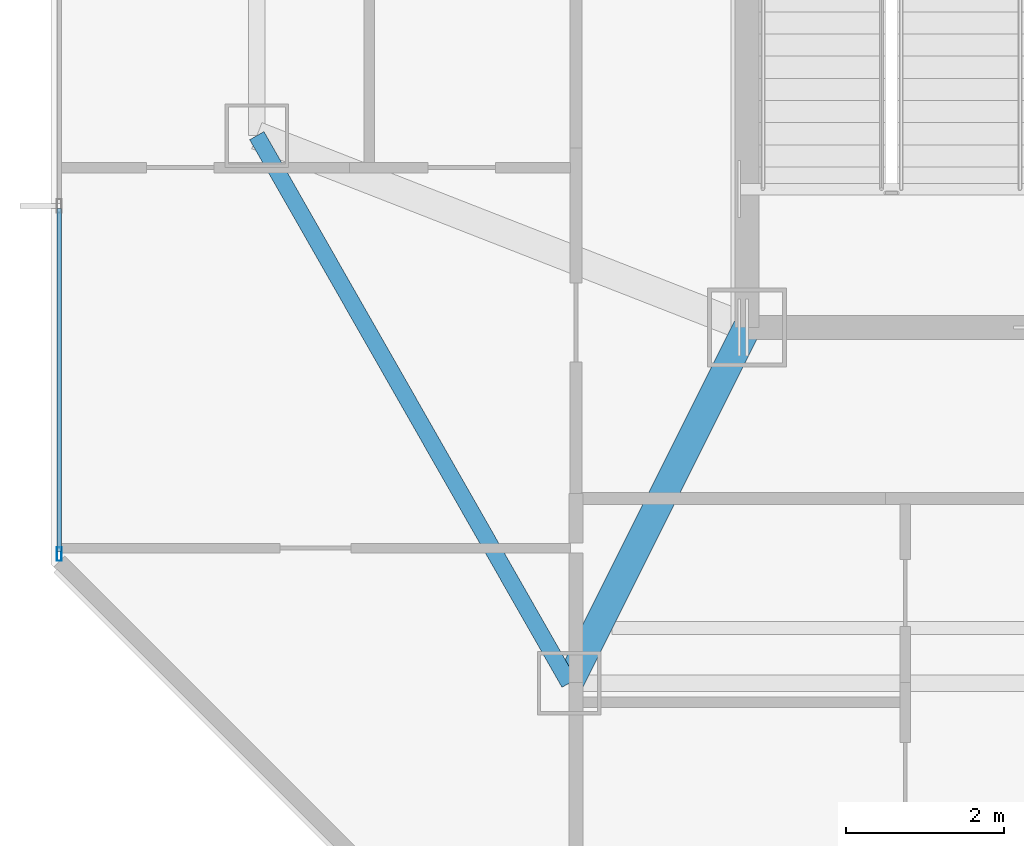
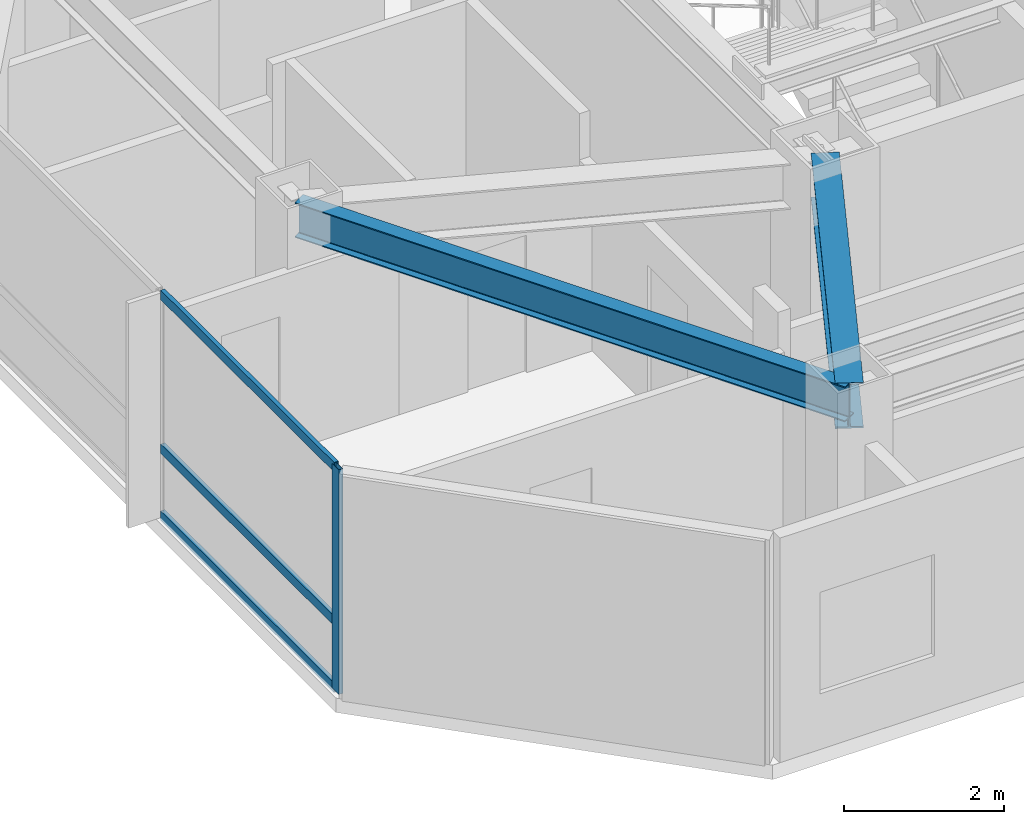
# One storey, part 2 of 14: 4 members, 2 beams, 1 element without a shape of its own.
"""IFC4 building model written with IfcOpenShell, lengths in metres."""

from ifc_helpers import new_model, si_unit, direction, frame, origin, origin_2d, place, context, subcontext, project, spatial, hollow_rectangle, i_section, extrude, material, material_profile, profile_set, type_object, element, aggregate, save


model = new_model("IFC4")

# Units and contexts
model_context = context("Model", 3, precision=1e-05, world=origin(), true_north=direction((0.0, 1.0)))
body_context = subcontext(model_context, "Body", "Model", "MODEL_VIEW")
ifc_project = project(units=[si_unit("LENGTHUNIT", "METRE"), si_unit("AREAUNIT", "SQUARE_METRE"), si_unit("VOLUMEUNIT", "CUBIC_METRE"), si_unit("PLANEANGLEUNIT", "RADIAN"), si_unit("MASSUNIT", "GRAM", prefix="KILO")], contexts=[model_context])

# Site, building, storey
site_placement = place(None, origin())
site = spatial("IfcSite", under=ifc_project, at=site_placement, CompositionType="ELEMENT")
building_placement = place(site_placement, origin())
building = spatial("IfcBuilding", under=site, at=building_placement, Name="Khamvora Tower", CompositionType="ELEMENT")
storey_placement = place(building_placement, frame((0.0, 0.0, 242.75)))
storey = spatial("IfcBuildingStorey", under=building, at=storey_placement, Name="L62", CompositionType="ELEMENT", Elevation=242.75)

# Beams
ifc_material_1 = material(Name="Steel S355", Category="steel")
ifc_material_profile_1 = material_profile(ifc_material_1, i_section(OverallWidth=0.35498046875, OverallDepth=0.695068359375, WebThickness=0.014892578125, FlangeThickness=0.02490234375, FilletRadius=0.01611328125, at=origin_2d()), Name="W690x217")
ifc_profile_set_1 = profile_set([ifc_material_profile_1], Name="Steel S355")
beam_type_1 = type_object("IfcBeamType", Name="BM-PG-W690x217", PredefinedType="BEAM", material=ifc_profile_set_1)
beam_1_placement = place(storey_placement, frame((29.0, 19.0, 3.0830078125), z_axis=(-0.4472135955, -0.894427191, 0.0), x_axis=(0.894427191, -0.4472135955, 0.0)))
element("IfcBeam", 1, at=beam_1_placement, inside=storey, type_object=beam_type_1, Name="L62 primary floor girder S1", PredefinedType="BEAM", context=body_context, shape_type="SweptSolid", body=[
    extrude(i_section(OverallWidth=0.35498046875, OverallDepth=0.695068359375, WebThickness=0.014892578125, FlangeThickness=0.02490234375, FilletRadius=0.01611328125, at=origin_2d()), origin(), (0.0, 0.0, 1.0), 5.03125),
])
ifc_material_profile_2 = material_profile(ifc_material_1, i_section(OverallWidth=0.208984375, OverallDepth=0.532958984375, WebThickness=0.010009765625, FlangeThickness=0.01611328125, FilletRadius=0.013916015625, at=origin_2d()), Name="W530x92")
ifc_profile_set_2 = profile_set([ifc_material_profile_2], Name="Steel S355")
beam_type_2 = type_object("IfcBeamType", Name="BM-SP-W530x92", PredefinedType="SPANDREL", material=ifc_profile_set_2)
beam_2_placement = place(storey_placement, frame((22.800048828125, 21.425048828125, 3.1630859375), z_axis=(0.495456118564, -0.868632968853, 0.0), x_axis=(0.868632968853, 0.495456118564, 0.0)))
element("IfcBeam", 2, at=beam_2_placement, inside=storey, type_object=beam_type_2, Name="L62 perimeter spandrel beam W1-S1", PredefinedType="SPANDREL", context=body_context, shape_type="SweptSolid", body=[
    extrude(i_section(OverallWidth=0.208984375, OverallDepth=0.532958984375, WebThickness=0.010009765625, FlangeThickness=0.01611328125, FilletRadius=0.013916015625, at=origin_2d()), origin(), (0.0, 0.0, 1.0), 7.972412109375),
])

# Curtain wall, members
ifc_material_2 = material(Name="Anodised Aluminium 6063-T6", Category="aluminium")
curtain_wall_type = type_object("IfcCurtainWallType", Name="CW-SYS-05", PredefinedType="NOTDEFINED", material=ifc_material_2)
curtain_wall_placement = place(storey_placement, origin())
curtain_wall = element("IfcCurtainWall", 3, at=curtain_wall_placement, inside=storey, type_object=curtain_wall_type, Name="L62 stick curtain wall 02.1", PredefinedType="NOTDEFINED")
ifc_material_profile_3 = material_profile(ifc_material_2, hollow_rectangle(XDim=0.06005859375, YDim=0.175048828125, WallThickness=0.0048828125, at=origin_2d()), Name="MUL60x175x5")
ifc_profile_set_3 = profile_set([ifc_material_profile_3], Name="Anodised Aluminium 6063-T6")
member_type_1 = type_object("IfcMemberType", Name="CW-SYS-05-MUL", PredefinedType="MULLION", material=ifc_profile_set_3)
member_1_placement = place(storey_placement, frame((20.300048828125, 16.134033203125, 0.0), z_axis=(0.0, 0.0, 1.0), x_axis=(-1.0, 0.0, 0.0)))
member_1 = element("IfcMember", 4, at=member_1_placement, type_object=member_type_1, Name="CW-05 mullion 1", PredefinedType="MULLION", context=body_context, shape_type="SweptSolid", body=[
    extrude(hollow_rectangle(XDim=0.06005859375, YDim=0.175048828125, WallThickness=0.0048828125, at=origin_2d()), origin(), (0.0, 0.0, 1.0), 3.429931640625),
])
ifc_material_profile_4 = material_profile(ifc_material_2, hollow_rectangle(XDim=0.06005859375, YDim=0.14501953125, WallThickness=0.0048828125, at=origin_2d()), Name="TRN60x145x5")
ifc_profile_set_4 = profile_set([ifc_material_profile_4], Name="Anodised Aluminium 6063-T6")
member_type_2 = type_object("IfcMemberType", Name="CW-SYS-05-TRN", PredefinedType="USERDEFINED", material=ifc_profile_set_4)
member_2_placement = place(storey_placement, frame((20.300048828125, 16.1640625, 0.030029296875), z_axis=(0.0, 1.0, 0.0), x_axis=(-1.0, 0.0, 0.0)))
member_2 = element("IfcMember", 5, at=member_2_placement, type_object=member_type_2, Name="CW-05 transom 1.1", ObjectType="TRANSOM", PredefinedType="USERDEFINED", context=body_context, shape_type="SweptSolid", body=[
    extrude(hollow_rectangle(XDim=0.06005859375, YDim=0.14501953125, WallThickness=0.0048828125, at=origin_2d()), origin(), (0.0, 0.0, 1.0), 4.341552734375),
])
member_3_placement = place(storey_placement, frame((20.300048828125, 16.1640625, 1.050048828125), z_axis=(0.0, 1.0, 0.0), x_axis=(-1.0, 0.0, 0.0)))
member_3 = element("IfcMember", 6, at=member_3_placement, type_object=member_type_2, Name="CW-05 transom 1.2", ObjectType="TRANSOM", PredefinedType="USERDEFINED", context=body_context, shape_type="SweptSolid", body=[
    extrude(hollow_rectangle(XDim=0.06005859375, YDim=0.14501953125, WallThickness=0.0048828125, at=origin_2d()), origin(), (0.0, 0.0, 1.0), 4.341552734375),
])
member_4_placement = place(storey_placement, frame((20.300048828125, 16.1640625, 3.39990234375), z_axis=(0.0, 1.0, 0.0), x_axis=(-1.0, 0.0, 0.0)))
member_4 = element("IfcMember", 7, at=member_4_placement, type_object=member_type_2, Name="CW-05 transom 1.3", ObjectType="TRANSOM", PredefinedType="USERDEFINED", context=body_context, shape_type="SweptSolid", body=[
    extrude(hollow_rectangle(XDim=0.06005859375, YDim=0.14501953125, WallThickness=0.0048828125, at=origin_2d()), origin(), (0.0, 0.0, 1.0), 4.341552734375),
])
aggregate(curtain_wall, [member_1, member_2, member_3, member_4])

save(model, "model.ifc")
